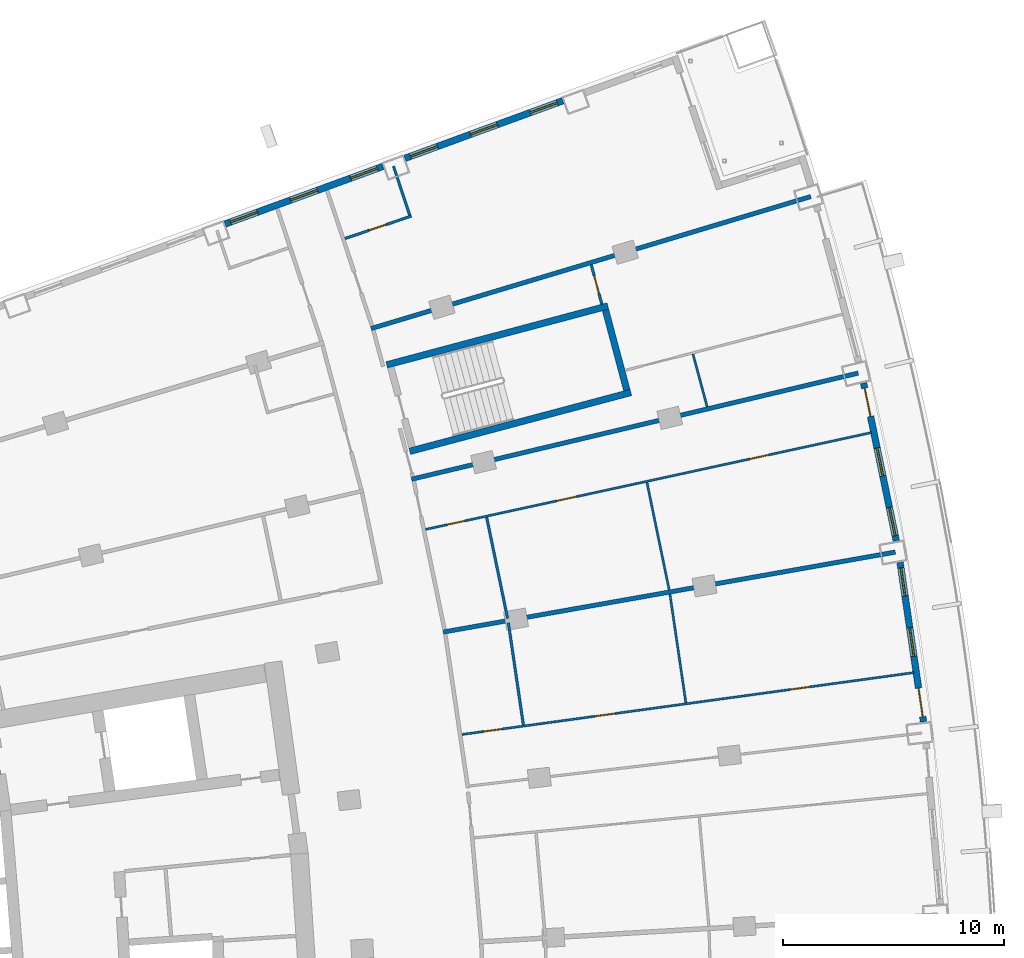
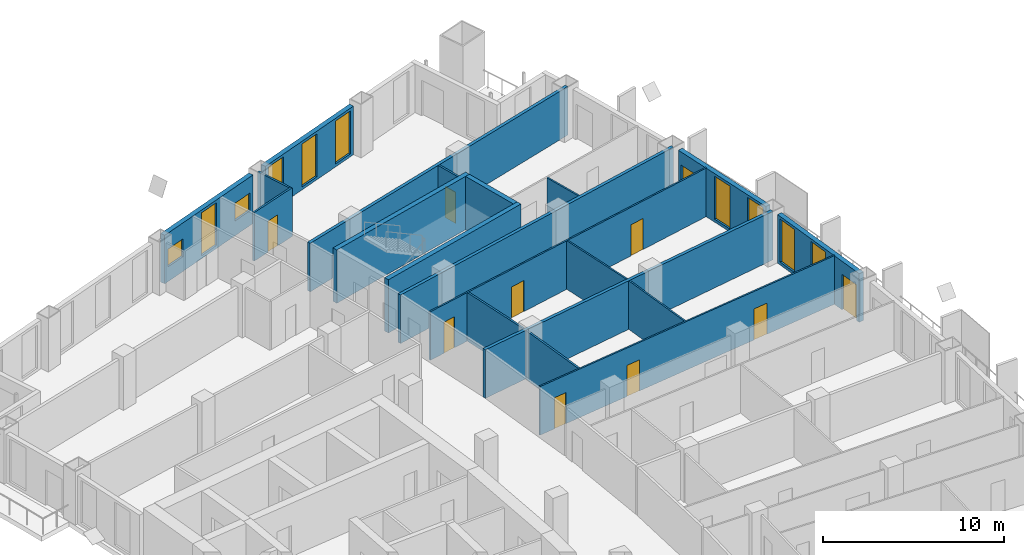
# One storey, part 20 of 25: 20 walls, 10 doors, 10 windows, 20 openings.
"""IFC4 building model written with IfcOpenShell, lengths in metres."""

from ifc_helpers import new_model, si_unit, direction, frame, frame_2d, origin, place, context, subcontext, project, spatial, rectangle, extrude, material, layer, layer_set, type_object, element, fill, save


model = new_model("IFC4")

# Units and contexts
model_context = context("Model", 3, precision=1e-05, world=origin(), true_north=direction((0.0, 1.0)))
body_context = subcontext(model_context, "Body", "Model", "MODEL_VIEW")
ifc_project = project(units=[si_unit("LENGTHUNIT", "METRE"), si_unit("AREAUNIT", "SQUARE_METRE"), si_unit("VOLUMEUNIT", "CUBIC_METRE"), si_unit("PLANEANGLEUNIT", "RADIAN"), si_unit("MASSUNIT", "GRAM", prefix="KILO")], contexts=[model_context])

# Site, building, storey
site_placement = place(None, origin())
site = spatial("IfcSite", under=ifc_project, at=site_placement, CompositionType="ELEMENT")
building_placement = place(site_placement, origin())
building = spatial("IfcBuilding", under=site, at=building_placement, Name="Alderwake Tower", CompositionType="ELEMENT")
storey_placement = place(building_placement, frame((0.0, 0.0, 89.60009765625)))
storey = spatial("IfcBuildingStorey", under=building, at=storey_placement, Name="L21", CompositionType="ELEMENT", Elevation=89.60009765625)

# Walls
ifc_material_1 = material(Name="Concrete C70/85", Category="concrete")
ifc_layer_1 = layer(ifc_material_1, 0.300048828125)
ifc_layer_set_1 = layer_set([ifc_layer_1], Name="Core wall stair enclosure 300 C70-85")
wall_type_1 = type_object("IfcWallType", Name="Core wall stair enclosure 300 C70-85", PredefinedType="SHEAR", material=ifc_layer_set_1)
for number, where, z_axis, x_axis, name in (
    (1, (36.71142578125, 94.182373046875, 0.0), (0.0, 0.0, 1.0), (0.966309214305, 0.257383958996, 0.0), "Core wall CW.082"),
    (2, (37.75390625, 90.268798828125, 0.0), (0.0, 0.0, 1.0), (0.966309214305, 0.257383958996, 0.0), "Core wall CW.084"),
):
    element("IfcWall", number, at=place(storey_placement, frame(where, z_axis=z_axis, x_axis=x_axis)), inside=storey, type_object=wall_type_1, Name=name, PredefinedType="SHEAR", context=body_context, shape_type="SweptSolid", body=[
        extrude(rectangle(XDim=10.360107421875, YDim=0.300048828125, at=frame_2d((5.18017578125, 0.0))), origin(), (0.0, 0.0, 1.0), 3.599853515625),
    ])
wall_1_placement = place(storey_placement, frame((47.581298828125, 93.041748046875, 0.0), z_axis=(0.0, 0.0, 1.0), x_axis=(-0.257366821694, 0.966313778796, 0.0)))
element("IfcWall", 3, at=wall_1_placement, inside=storey, type_object=wall_type_1, Name="Core wall CW.081", PredefinedType="SHEAR", context=body_context, shape_type="SweptSolid", body=[
    extrude(rectangle(XDim=3.749755859375, YDim=0.300048828125, at=frame_2d((1.875, 0.0))), origin(), (0.0, 0.0, 1.0), 3.599853515625),
])

# Wall, openings, door, windows
ifc_material_2 = material(Name="Precast concrete C50/60 spandrel panel", Category="concrete")
ifc_layer_2 = layer(ifc_material_2, 0.300048828125)
ifc_layer_set_2 = layer_set([ifc_layer_2], Name="External wall EW1 Precast concrete C50/60 spandrel")
wall_type_2 = type_object("IfcWallType", Name="External wall EW1 Precast concrete C50/60 spandrel", PredefinedType="SOLIDWALL", material=ifc_layer_set_2)
wall_2_placement = place(storey_placement, frame((61.01171875, 78.028564453125, 0.0), z_axis=(0.0, 0.0, 1.0), x_axis=(-0.145299158465, 0.989387767536, 0.0)))
wall_2 = element("IfcWall", 4, at=wall_2_placement, inside=storey, type_object=wall_type_2, Name="External wall 19", PredefinedType="SOLIDWALL", context=body_context, shape_type="SweptSolid", body=[
    extrude(rectangle(XDim=7.287353515625, YDim=0.300048828125, at=frame_2d((3.6435546875, 0.0))), origin(), (0.0, 0.0, 1.0), 3.27978515625),
])
opening_1_placement = place(wall_2_placement, frame((0.23681640625, 0.0, 0.0)))
opening_1 = element("IfcOpeningElement", 5, at=opening_1_placement, cuts=wall_2, Name="Opening D09", PredefinedType="OPENING", context=body_context, shape_type="SweptSolid", body=[
    extrude(rectangle(XDim=1.300048828125, YDim=2.39990234375, at=frame_2d((0.64990234375, 1.199951171875))), frame((0.0, 0.159912109375, 0.0), z_axis=(0.0, -1.0, 0.0), x_axis=(1.0, 0.0, 0.0)), (0.0, 0.0, 1.0), 0.320068359375),
])
opening_2_placement = place(wall_2_placement, frame((2.99365234375, 0.0, 0.199951171875)))
opening_2 = element("IfcOpeningElement", 6, at=opening_2_placement, cuts=wall_2, Name="Opening W1", PredefinedType="OPENING", context=body_context, shape_type="SweptSolid", body=[
    extrude(rectangle(XDim=1.300048828125, YDim=2.89990234375, at=frame_2d((0.64990234375, 1.449951171875))), frame((0.0, 0.159912109375, 0.0), z_axis=(0.0, -1.0, 0.0), x_axis=(1.0, 0.0, 0.0)), (0.0, 0.0, 1.0), 0.320068359375),
])
opening_3_placement = place(wall_2_placement, frame((5.75048828125, 0.0, 0.199951171875)))
opening_3 = element("IfcOpeningElement", 7, at=opening_3_placement, cuts=wall_2, Name="Opening W1", PredefinedType="OPENING", context=body_context, shape_type="SweptSolid", body=[
    extrude(rectangle(XDim=1.300048828125, YDim=2.89990234375, at=frame_2d((0.64990234375, 1.449951171875))), frame((0.0, 0.159912109375, 0.0), z_axis=(0.0, -1.0, 0.0), x_axis=(1.0, 0.0, 0.0)), (0.0, 0.0, 1.0), 0.320068359375),
])
ifc_material_3 = material(Name="Bronze tinted glass in aluminium frame", Category="aluminium")
door_type_1 = type_object("IfcDoorType", Name="Balcony door BD sliding", OperationType="SLIDING_TO_LEFT", PredefinedType="DOOR", material=ifc_material_3)
door_1_placement = place(opening_1_placement, origin())
door_1 = element("IfcDoor", 8, at=door_1_placement, inside=storey, type_object=door_type_1, Name="Door D09", OperationType="SLIDING_TO_LEFT", OverallHeight=2.39990234375, OverallWidth=1.300048828125, PredefinedType="DOOR", context=body_context, shape_type="SweptSolid", body=[
    extrude(rectangle(XDim=1.300048828125, YDim=2.39990234375, at=frame_2d((0.64990234375, 1.199951171875))), frame((0.0, 0.02490234375, 0.0), z_axis=(0.0, -1.0, 0.0), x_axis=(1.0, 0.0, 0.0)), (0.0, 0.0, 1.0), 0.050048828125),
])
fill(opening_1, door_1)
ifc_material_4 = material(Name="Bronze tinted glass in aluminium frame", Category="aluminium")
window_type_1 = type_object("IfcWindowType", Name="Window W1 tall fixed and vent", PartitioningType="DOUBLE_PANEL_VERTICAL", PredefinedType="WINDOW", material=ifc_material_4)
window_1_placement = place(opening_2_placement, origin())
window_1 = element("IfcWindow", 9, at=window_1_placement, inside=storey, type_object=window_type_1, Name="Window W1 tall fixed and vent", OverallHeight=2.89990234375, OverallWidth=1.300048828125, PartitioningType="DOUBLE_PANEL_VERTICAL", PredefinedType="WINDOW", context=body_context, shape_type="SweptSolid", body=[
    extrude(rectangle(XDim=1.300048828125, YDim=2.89990234375, at=frame_2d((0.64990234375, 1.449951171875))), frame((0.0, 0.030029296875, 0.0), z_axis=(0.0, -1.0, 0.0), x_axis=(1.0, 0.0, 0.0)), (0.0, 0.0, 1.0), 0.06005859375),
])
fill(opening_2, window_1)
window_2_placement = place(opening_3_placement, origin())
window_2 = element("IfcWindow", 10, at=window_2_placement, inside=storey, type_object=window_type_1, Name="Window W1 tall fixed and vent", OverallHeight=2.89990234375, OverallWidth=1.300048828125, PartitioningType="DOUBLE_PANEL_VERTICAL", PredefinedType="WINDOW", context=body_context, shape_type="SweptSolid", body=[
    extrude(rectangle(XDim=1.300048828125, YDim=2.89990234375, at=frame_2d((0.64990234375, 1.449951171875))), frame((0.0, 0.030029296875, 0.0), z_axis=(0.0, -1.0, 0.0), x_axis=(1.0, 0.0, 0.0)), (0.0, 0.0, 1.0), 0.06005859375),
])
fill(opening_3, window_2)

wall_3_placement = place(storey_placement, frame((59.779296875, 86.220458984375, 0.0), z_axis=(0.0, 0.0, 1.0), x_axis=(-0.202747398162, 0.979231072086, 0.0)))
wall_3 = element("IfcWall", 11, at=wall_3_placement, inside=storey, type_object=wall_type_2, Name="External wall 20", PredefinedType="SOLIDWALL", context=body_context, shape_type="SweptSolid", body=[
    extrude(rectangle(XDim=7.28759765625, YDim=0.300048828125, at=frame_2d((3.643798828125, 0.0))), origin(), (0.0, 0.0, 1.0), 3.27978515625),
])
opening_4_placement = place(wall_3_placement, frame((0.23681640625, 0.0, 0.199951171875)))
opening_4 = element("IfcOpeningElement", 12, at=opening_4_placement, cuts=wall_3, Name="Opening W1", PredefinedType="OPENING", context=body_context, shape_type="SweptSolid", body=[
    extrude(rectangle(XDim=1.300048828125, YDim=2.89990234375, at=frame_2d((0.64990234375, 1.449951171875))), frame((0.0, 0.159912109375, 0.0), z_axis=(0.0, -1.0, 0.0), x_axis=(1.0, 0.0, 0.0)), (0.0, 0.0, 1.0), 0.320068359375),
])
opening_5_placement = place(wall_3_placement, frame((2.99365234375, 0.0, 0.199951171875)))
opening_5 = element("IfcOpeningElement", 13, at=opening_5_placement, cuts=wall_3, Name="Opening W1", PredefinedType="OPENING", context=body_context, shape_type="SweptSolid", body=[
    extrude(rectangle(XDim=1.300048828125, YDim=2.89990234375, at=frame_2d((0.64990234375, 1.449951171875))), frame((0.0, 0.159912109375, 0.0), z_axis=(0.0, -1.0, 0.0), x_axis=(1.0, 0.0, 0.0)), (0.0, 0.0, 1.0), 0.320068359375),
])
opening_6_placement = place(wall_3_placement, frame((5.75048828125, 0.0, 0.0)))
opening_6 = element("IfcOpeningElement", 14, at=opening_6_placement, cuts=wall_3, Name="Opening D10", PredefinedType="OPENING", context=body_context, shape_type="SweptSolid", body=[
    extrude(rectangle(XDim=1.300048828125, YDim=2.39990234375, at=frame_2d((0.64990234375, 1.199951171875))), frame((0.0, 0.159912109375, 0.0), z_axis=(0.0, -1.0, 0.0), x_axis=(1.0, 0.0, 0.0)), (0.0, 0.0, 1.0), 0.320068359375),
])
door_2_placement = place(opening_6_placement, origin())
door_2 = element("IfcDoor", 15, at=door_2_placement, inside=storey, type_object=door_type_1, Name="Door D10", OperationType="SLIDING_TO_LEFT", OverallHeight=2.39990234375, OverallWidth=1.300048828125, PredefinedType="DOOR", context=body_context, shape_type="SweptSolid", body=[
    extrude(rectangle(XDim=1.300048828125, YDim=2.39990234375, at=frame_2d((0.64990234375, 1.199951171875))), frame((0.0, 0.02490234375, 0.0), z_axis=(0.0, -1.0, 0.0), x_axis=(1.0, 0.0, 0.0)), (0.0, 0.0, 1.0), 0.050048828125),
])
fill(opening_6, door_2)
window_3_placement = place(opening_4_placement, origin())
window_3 = element("IfcWindow", 16, at=window_3_placement, inside=storey, type_object=window_type_1, Name="Window W1 tall fixed and vent", OverallHeight=2.89990234375, OverallWidth=1.300048828125, PartitioningType="DOUBLE_PANEL_VERTICAL", PredefinedType="WINDOW", context=body_context, shape_type="SweptSolid", body=[
    extrude(rectangle(XDim=1.300048828125, YDim=2.89990234375, at=frame_2d((0.64990234375, 1.449951171875))), frame((0.0, 0.030029296875, 0.0), z_axis=(0.0, -1.0, 0.0), x_axis=(1.0, 0.0, 0.0)), (0.0, 0.0, 1.0), 0.06005859375),
])
fill(opening_4, window_3)
window_4_placement = place(opening_5_placement, origin())
window_4 = element("IfcWindow", 17, at=window_4_placement, inside=storey, type_object=window_type_1, Name="Window W1 tall fixed and vent", OverallHeight=2.89990234375, OverallWidth=1.300048828125, PartitioningType="DOUBLE_PANEL_VERTICAL", PredefinedType="WINDOW", context=body_context, shape_type="SweptSolid", body=[
    extrude(rectangle(XDim=1.300048828125, YDim=2.89990234375, at=frame_2d((0.64990234375, 1.449951171875))), frame((0.0, 0.030029296875, 0.0), z_axis=(0.0, -1.0, 0.0), x_axis=(1.0, 0.0, 0.0)), (0.0, 0.0, 1.0), 0.06005859375),
])
fill(opening_5, window_4)

# Wall, openings, windows
ifc_material_5 = material(Name="Bronze metal cladding on lightweight framing")
ifc_layer_3 = layer(ifc_material_5, 0.300048828125)
ifc_layer_set_3 = layer_set([ifc_layer_3], Name="External wall EW2 bronze metal cladding")
wall_type_3 = type_object("IfcWallType", Name="External wall EW2 bronze metal cladding", PredefinedType="SOLIDWALL", material=ifc_layer_set_3)
wall_4_placement = place(storey_placement, frame((44.685546875, 106.14111328125, 0.0), z_axis=(0.0, 0.0, 1.0), x_axis=(-0.939373225656, -0.342896402606, 0.0)))
wall_4 = element("IfcWall", 18, at=wall_4_placement, inside=storey, type_object=wall_type_3, Name="External wall 26", PredefinedType="SOLIDWALL", context=body_context, shape_type="SweptSolid", body=[
    extrude(rectangle(XDim=7.612548828125, YDim=0.300048828125, at=frame_2d((3.80615234375, 0.0))), origin(), (0.0, 0.0, 1.0), 3.27978515625),
])
opening_7_placement = place(wall_4_placement, frame((0.267578125, 0.0, 0.199951171875)))
opening_7 = element("IfcOpeningElement", 19, at=opening_7_placement, cuts=wall_4, Name="Opening W1", PredefinedType="OPENING", context=body_context, shape_type="SweptSolid", body=[
    extrude(rectangle(XDim=1.300048828125, YDim=2.89990234375, at=frame_2d((0.64990234375, 1.449951171875))), frame((0.0, 0.159912109375, 0.0), z_axis=(0.0, -1.0, 0.0), x_axis=(1.0, 0.0, 0.0)), (0.0, 0.0, 1.0), 0.320068359375),
])
opening_8_placement = place(wall_4_placement, frame((3.156494140625, 0.0, 0.199951171875)))
opening_8 = element("IfcOpeningElement", 20, at=opening_8_placement, cuts=wall_4, Name="Opening W1", PredefinedType="OPENING", context=body_context, shape_type="SweptSolid", body=[
    extrude(rectangle(XDim=1.300048828125, YDim=2.89990234375, at=frame_2d((0.64990234375, 1.449951171875))), frame((0.0, 0.159912109375, 0.0), z_axis=(0.0, -1.0, 0.0), x_axis=(1.0, 0.0, 0.0)), (0.0, 0.0, 1.0), 0.320068359375),
])
opening_9_placement = place(wall_4_placement, frame((6.04541015625, 0.0, 0.199951171875)))
opening_9 = element("IfcOpeningElement", 21, at=opening_9_placement, cuts=wall_4, Name="Opening W1", PredefinedType="OPENING", context=body_context, shape_type="SweptSolid", body=[
    extrude(rectangle(XDim=1.300048828125, YDim=2.89990234375, at=frame_2d((0.64990234375, 1.449951171875))), frame((0.0, 0.159912109375, 0.0), z_axis=(0.0, -1.0, 0.0), x_axis=(1.0, 0.0, 0.0)), (0.0, 0.0, 1.0), 0.320068359375),
])
window_5_placement = place(opening_7_placement, origin())
window_5 = element("IfcWindow", 22, at=window_5_placement, inside=storey, type_object=window_type_1, Name="Window W1 tall fixed and vent", OverallHeight=2.89990234375, OverallWidth=1.300048828125, PartitioningType="DOUBLE_PANEL_VERTICAL", PredefinedType="WINDOW", context=body_context, shape_type="SweptSolid", body=[
    extrude(rectangle(XDim=1.300048828125, YDim=2.89990234375, at=frame_2d((0.64990234375, 1.449951171875))), frame((0.0, 0.030029296875, 0.0), z_axis=(0.0, -1.0, 0.0), x_axis=(1.0, 0.0, 0.0)), (0.0, 0.0, 1.0), 0.06005859375),
])
fill(opening_7, window_5)
window_6_placement = place(opening_8_placement, origin())
window_6 = element("IfcWindow", 23, at=window_6_placement, inside=storey, type_object=window_type_1, Name="Window W1 tall fixed and vent", OverallHeight=2.89990234375, OverallWidth=1.300048828125, PartitioningType="DOUBLE_PANEL_VERTICAL", PredefinedType="WINDOW", context=body_context, shape_type="SweptSolid", body=[
    extrude(rectangle(XDim=1.300048828125, YDim=2.89990234375, at=frame_2d((0.64990234375, 1.449951171875))), frame((0.0, 0.030029296875, 0.0), z_axis=(0.0, -1.0, 0.0), x_axis=(1.0, 0.0, 0.0)), (0.0, 0.0, 1.0), 0.06005859375),
])
fill(opening_8, window_6)
window_7_placement = place(opening_9_placement, origin())
window_7 = element("IfcWindow", 24, at=window_7_placement, inside=storey, type_object=window_type_1, Name="Window W1 tall fixed and vent", OverallHeight=2.89990234375, OverallWidth=1.300048828125, PartitioningType="DOUBLE_PANEL_VERTICAL", PredefinedType="WINDOW", context=body_context, shape_type="SweptSolid", body=[
    extrude(rectangle(XDim=1.300048828125, YDim=2.89990234375, at=frame_2d((0.64990234375, 1.449951171875))), frame((0.0, 0.030029296875, 0.0), z_axis=(0.0, -1.0, 0.0), x_axis=(1.0, 0.0, 0.0)), (0.0, 0.0, 1.0), 0.06005859375),
])
fill(opening_9, window_7)

wall_5_placement = place(storey_placement, frame((36.544189453125, 103.169189453125, 0.0), z_axis=(0.0, 0.0, 1.0), x_axis=(-0.939383555457, -0.342868102536, 0.0)))
wall_5 = element("IfcWall", 25, at=wall_5_placement, inside=storey, type_object=wall_type_3, Name="External wall 27", PredefinedType="SOLIDWALL", context=body_context, shape_type="SweptSolid", body=[
    extrude(rectangle(XDim=7.612548828125, YDim=0.300048828125, at=frame_2d((3.80615234375, 0.0))), origin(), (0.0, 0.0, 1.0), 3.27978515625),
])
opening_10_placement = place(wall_5_placement, frame((0.267333984375, 0.0, 1.0)))
opening_10 = element("IfcOpeningElement", 26, at=opening_10_placement, cuts=wall_5, Name="Opening W2", PredefinedType="OPENING", context=body_context, shape_type="SweptSolid", body=[
    extrude(rectangle(XDim=1.300048828125, YDim=1.199951171875, at=frame_2d((0.64990234375, 0.60009765625))), frame((0.0, 0.159912109375, 0.0), z_axis=(0.0, -1.0, 0.0), x_axis=(1.0, 0.0, 0.0)), (0.0, 0.0, 1.0), 0.320068359375),
])
opening_11_placement = place(wall_5_placement, frame((3.156494140625, 0.0, 0.199951171875)))
opening_11 = element("IfcOpeningElement", 27, at=opening_11_placement, cuts=wall_5, Name="Opening W1", PredefinedType="OPENING", context=body_context, shape_type="SweptSolid", body=[
    extrude(rectangle(XDim=1.300048828125, YDim=2.89990234375, at=frame_2d((0.64990234375, 1.449951171875))), frame((0.0, 0.159912109375, 0.0), z_axis=(0.0, -1.0, 0.0), x_axis=(1.0, 0.0, 0.0)), (0.0, 0.0, 1.0), 0.320068359375),
])
opening_12_placement = place(wall_5_placement, frame((6.04541015625, 0.0, 1.0)))
opening_12 = element("IfcOpeningElement", 28, at=opening_12_placement, cuts=wall_5, Name="Opening W2", PredefinedType="OPENING", context=body_context, shape_type="SweptSolid", body=[
    extrude(rectangle(XDim=1.300048828125, YDim=1.199951171875, at=frame_2d((0.64990234375, 0.60009765625))), frame((0.0, 0.159912109375, 0.0), z_axis=(0.0, -1.0, 0.0), x_axis=(1.0, 0.0, 0.0)), (0.0, 0.0, 1.0), 0.320068359375),
])
window_8_placement = place(opening_11_placement, origin())
window_8 = element("IfcWindow", 29, at=window_8_placement, inside=storey, type_object=window_type_1, Name="Window W1 tall fixed and vent", OverallHeight=2.89990234375, OverallWidth=1.300048828125, PartitioningType="DOUBLE_PANEL_VERTICAL", PredefinedType="WINDOW", context=body_context, shape_type="SweptSolid", body=[
    extrude(rectangle(XDim=1.300048828125, YDim=2.89990234375, at=frame_2d((0.64990234375, 1.449951171875))), frame((0.0, 0.030029296875, 0.0), z_axis=(0.0, -1.0, 0.0), x_axis=(1.0, 0.0, 0.0)), (0.0, 0.0, 1.0), 0.06005859375),
])
fill(opening_11, window_8)
ifc_material_6 = material(Name="Bronze tinted glass in aluminium frame", Category="aluminium")
window_type_2 = type_object("IfcWindowType", Name="Window W2 kitchen and bath", PartitioningType="SINGLE_PANEL", PredefinedType="WINDOW", material=ifc_material_6)
window_9_placement = place(opening_10_placement, origin())
window_9 = element("IfcWindow", 30, at=window_9_placement, inside=storey, type_object=window_type_2, Name="Window W2 kitchen and bath", OverallHeight=1.199951171875, OverallWidth=1.300048828125, PartitioningType="SINGLE_PANEL", PredefinedType="WINDOW", context=body_context, shape_type="SweptSolid", body=[
    extrude(rectangle(XDim=1.300048828125, YDim=1.199951171875, at=frame_2d((0.64990234375, 0.60009765625))), frame((0.0, 0.030029296875, 0.0), z_axis=(0.0, -1.0, 0.0), x_axis=(1.0, 0.0, 0.0)), (0.0, 0.0, 1.0), 0.06005859375),
])
fill(opening_10, window_9)
window_10_placement = place(opening_12_placement, origin())
window_10 = element("IfcWindow", 31, at=window_10_placement, inside=storey, type_object=window_type_2, Name="Window W2 kitchen and bath", OverallHeight=1.199951171875, OverallWidth=1.300048828125, PartitioningType="SINGLE_PANEL", PredefinedType="WINDOW", context=body_context, shape_type="SweptSolid", body=[
    extrude(rectangle(XDim=1.300048828125, YDim=1.199951171875, at=frame_2d((0.64990234375, 0.60009765625))), frame((0.0, 0.030029296875, 0.0), z_axis=(0.0, -1.0, 0.0), x_axis=(1.0, 0.0, 0.0)), (0.0, 0.0, 1.0), 0.06005859375),
])
fill(opening_12, window_10)

# Walls
ifc_material_7 = material(Name="Dense block masonry wall", Category="masonry")
ifc_layer_4 = layer(ifc_material_7, 0.199951171875)
ifc_layer_set_4 = layer_set([ifc_layer_4], Name="Party wall 200")
wall_type_4 = type_object("IfcWallType", Name="Party wall 200", PredefinedType="SOLIDWALL", material=ifc_layer_set_4)
wall_6_placement = place(storey_placement, frame((37.839111328125, 89.006591796875, 0.0), z_axis=(0.0, 0.0, 1.0), x_axis=(0.972915151152, 0.231162515686, 0.0)))
element("IfcWall", 32, at=wall_6_placement, inside=storey, type_object=wall_type_4, Name="WL/L21/W07", PredefinedType="SOLIDWALL", context=body_context, shape_type="SweptSolid", body=[
    extrude(rectangle(XDim=20.779541015625, YDim=0.199951171875, at=frame_2d((10.3896484375, 0.0))), origin(), (0.0, 0.0, 1.0), 3.27978515625),
])
wall_7_placement = place(storey_placement, frame((55.907958984375, 101.802001953125, 0.0), z_axis=(0.0, 0.0, 1.0), x_axis=(-0.957772916743, -0.287525720507, 0.0)))
element("IfcWall", 33, at=wall_7_placement, inside=storey, type_object=wall_type_4, Name="WL/L21/W08", PredefinedType="SOLIDWALL", context=body_context, shape_type="SweptSolid", body=[
    extrude(rectangle(XDim=20.781005859375, YDim=0.199951171875, at=frame_2d((10.390625, 0.0))), origin(), (0.0, 0.0, 1.0), 3.27978515625),
])
wall_8_placement = place(storey_placement, frame((59.73291015625, 85.70703125, 0.0), z_axis=(0.0, 0.0, 1.0), x_axis=(-0.984712278079, -0.174188775183, 0.0)))
element("IfcWall", 34, at=wall_8_placement, inside=storey, type_object=wall_type_4, Name="WL/L21/W09", PredefinedType="SOLIDWALL", context=body_context, shape_type="SweptSolid", body=[
    extrude(rectangle(XDim=20.78125, YDim=0.199951171875, at=frame_2d((10.390625, 0.0))), origin(), (0.0, 0.0, 1.0), 3.27978515625),
])

# Wall, openings, doors
ifc_material_8 = material(Name="Gypsum board on metal studs")
ifc_layer_5 = layer(ifc_material_8, 0.10009765625)
ifc_layer_set_5 = layer_set([ifc_layer_5], Name="Unit partition 100")
wall_type_5 = type_object("IfcWallType", Name="Unit partition 100", PredefinedType="PARTITIONING", material=ifc_layer_set_5)
wall_9_placement = place(storey_placement, frame((58.662109375, 91.118896484375, 0.0), z_axis=(0.0, 0.0, 1.0), x_axis=(-0.977229871325, -0.212183360777, 0.0)))
wall_9 = element("IfcWall", 35, at=wall_9_placement, inside=storey, type_object=wall_type_5, Name="WL/L21/W66", PredefinedType="PARTITIONING", context=body_context, shape_type="SweptSolid", body=[
    extrude(rectangle(XDim=20.660400390625, YDim=0.10009765625, at=frame_2d((10.330078125, 0.0))), origin(), (0.0, 0.0, 1.0), 3.27978515625),
])
opening_13_placement = place(wall_9_placement, frame((13.6796875, 0.0, 0.0)))
opening_13 = element("IfcOpeningElement", 36, at=opening_13_placement, cuts=wall_9, Name="Opening R05-U08.1", PredefinedType="OPENING", context=body_context, shape_type="SweptSolid", body=[
    extrude(rectangle(XDim=0.89990234375, YDim=2.10009765625, at=frame_2d((0.449951171875, 1.050048828125))), frame((0.0, 0.06005859375, 0.0), z_axis=(0.0, -1.0, 0.0), x_axis=(1.0, 0.0, 0.0)), (0.0, 0.0, 1.0), 0.1201171875),
])
opening_14_placement = place(wall_9_placement, frame((18.851318359375, 0.0, 0.0)))
opening_14 = element("IfcOpeningElement", 37, at=opening_14_placement, cuts=wall_9, Name="Opening R05-U08.3", PredefinedType="OPENING", context=body_context, shape_type="SweptSolid", body=[
    extrude(rectangle(XDim=0.800048828125, YDim=2.10009765625, at=frame_2d((0.39990234375, 1.050048828125))), frame((0.0, 0.06005859375, 0.0), z_axis=(0.0, -1.0, 0.0), x_axis=(1.0, 0.0, 0.0)), (0.0, 0.0, 1.0), 0.1201171875),
])
opening_15_placement = place(wall_9_placement, frame((4.758544921875, 0.0, 0.0)))
opening_15 = element("IfcOpeningElement", 38, at=opening_15_placement, cuts=wall_9, Name="Opening R05-U08.4", PredefinedType="OPENING", context=body_context, shape_type="SweptSolid", body=[
    extrude(rectangle(XDim=0.89990234375, YDim=2.10009765625, at=frame_2d((0.449951171875, 1.050048828125))), frame((0.0, 0.06005859375, 0.0), z_axis=(0.0, -1.0, 0.0), x_axis=(1.0, 0.0, 0.0)), (0.0, 0.0, 1.0), 0.1201171875),
])
ifc_material_9 = material(Name="Painted timber leaf", Category="wood")
door_type_2 = type_object("IfcDoorType", Name="Bathroom door 800", OperationType="SINGLE_SWING_LEFT", PredefinedType="DOOR", material=ifc_material_9)
door_3_placement = place(opening_14_placement, origin())
door_3 = element("IfcDoor", 39, at=door_3_placement, inside=storey, type_object=door_type_2, Name="DR/L21/U08.3", OperationType="SINGLE_SWING_LEFT", OverallHeight=2.10009765625, OverallWidth=0.800048828125, PredefinedType="DOOR", context=body_context, shape_type="SweptSolid", body=[
    extrude(rectangle(XDim=0.800048828125, YDim=2.10009765625, at=frame_2d((0.39990234375, 1.050048828125))), frame((0.0, 0.02490234375, 0.0), z_axis=(0.0, -1.0, 0.0), x_axis=(1.0, 0.0, 0.0)), (0.0, 0.0, 1.0), 0.050048828125),
])
fill(opening_14, door_3)
ifc_material_10 = material(Name="Painted timber leaf", Category="wood")
door_type_3 = type_object("IfcDoorType", Name="Room door 900", OperationType="SINGLE_SWING_LEFT", PredefinedType="DOOR", material=ifc_material_10)
door_4_placement = place(opening_13_placement, origin())
door_4 = element("IfcDoor", 40, at=door_4_placement, inside=storey, type_object=door_type_3, Name="DR/L21/U08.1", OperationType="SINGLE_SWING_LEFT", OverallHeight=2.10009765625, OverallWidth=0.89990234375, PredefinedType="DOOR", context=body_context, shape_type="SweptSolid", body=[
    extrude(rectangle(XDim=0.89990234375, YDim=2.10009765625, at=frame_2d((0.449951171875, 1.050048828125))), frame((0.0, 0.02490234375, 0.0), z_axis=(0.0, -1.0, 0.0), x_axis=(1.0, 0.0, 0.0)), (0.0, 0.0, 1.0), 0.050048828125),
])
fill(opening_13, door_4)
door_5_placement = place(opening_15_placement, origin())
door_5 = element("IfcDoor", 41, at=door_5_placement, inside=storey, type_object=door_type_3, Name="DR/L21/U08.4", OperationType="SINGLE_SWING_LEFT", OverallHeight=2.10009765625, OverallWidth=0.89990234375, PredefinedType="DOOR", context=body_context, shape_type="SweptSolid", body=[
    extrude(rectangle(XDim=0.89990234375, YDim=2.10009765625, at=frame_2d((0.449951171875, 1.050048828125))), frame((0.0, 0.02490234375, 0.0), z_axis=(0.0, -1.0, 0.0), x_axis=(1.0, 0.0, 0.0)), (0.0, 0.0, 1.0), 0.050048828125),
])
fill(opening_15, door_5)

wall_10_placement = place(storey_placement, frame((40.1142578125, 77.449951171875, 0.0), z_axis=(0.0, 0.0, 1.0), x_axis=(0.990755381379, 0.135660511087, 0.0)))
wall_10 = element("IfcWall", 42, at=wall_10_placement, inside=storey, type_object=wall_type_5, Name="WL/L21/W69", PredefinedType="PARTITIONING", context=body_context, shape_type="SweptSolid", body=[
    extrude(rectangle(XDim=20.66162109375, YDim=0.10009765625, at=frame_2d((10.330810546875, 0.0))), origin(), (0.0, 0.0, 1.0), 3.27978515625),
])
opening_16_placement = place(wall_10_placement, frame((6.080078125, 0.0, 0.0)))
opening_16 = element("IfcOpeningElement", 43, at=opening_16_placement, cuts=wall_10, Name="Opening R05-U07.5", PredefinedType="OPENING", context=body_context, shape_type="SweptSolid", body=[
    extrude(rectangle(XDim=0.89990234375, YDim=2.10009765625, at=frame_2d((0.449951171875, 1.050048828125))), frame((0.0, 0.06005859375, 0.0), z_axis=(0.0, -1.0, 0.0), x_axis=(1.0, 0.0, 0.0)), (0.0, 0.0, 1.0), 0.1201171875),
])
opening_17_placement = place(wall_10_placement, frame((1.0087890625, 0.0, 0.0)))
opening_17 = element("IfcOpeningElement", 44, at=opening_17_placement, cuts=wall_10, Name="Opening R05-U07.6", PredefinedType="OPENING", context=body_context, shape_type="SweptSolid", body=[
    extrude(rectangle(XDim=0.800048828125, YDim=2.10009765625, at=frame_2d((0.39990234375, 1.050048828125))), frame((0.0, 0.06005859375, 0.0), z_axis=(0.0, -1.0, 0.0), x_axis=(1.0, 0.0, 0.0)), (0.0, 0.0, 1.0), 0.1201171875),
])
opening_18_placement = place(wall_10_placement, frame((15.001953125, 0.0, 0.0)))
opening_18 = element("IfcOpeningElement", 45, at=opening_18_placement, cuts=wall_10, Name="Opening R05-U07.7", PredefinedType="OPENING", context=body_context, shape_type="SweptSolid", body=[
    extrude(rectangle(XDim=0.89990234375, YDim=2.10009765625, at=frame_2d((0.449951171875, 1.050048828125))), frame((0.0, 0.06005859375, 0.0), z_axis=(0.0, -1.0, 0.0), x_axis=(1.0, 0.0, 0.0)), (0.0, 0.0, 1.0), 0.1201171875),
])
door_6_placement = place(opening_17_placement, origin())
door_6 = element("IfcDoor", 46, at=door_6_placement, inside=storey, type_object=door_type_2, Name="DR/L21/U07.6", OperationType="SINGLE_SWING_LEFT", OverallHeight=2.10009765625, OverallWidth=0.800048828125, PredefinedType="DOOR", context=body_context, shape_type="SweptSolid", body=[
    extrude(rectangle(XDim=0.800048828125, YDim=2.10009765625, at=frame_2d((0.39990234375, 1.050048828125))), frame((0.0, 0.02490234375, 0.0), z_axis=(0.0, -1.0, 0.0), x_axis=(1.0, 0.0, 0.0)), (0.0, 0.0, 1.0), 0.050048828125),
])
fill(opening_17, door_6)
door_7_placement = place(opening_16_placement, origin())
door_7 = element("IfcDoor", 47, at=door_7_placement, inside=storey, type_object=door_type_3, Name="DR/L21/U07.5", OperationType="SINGLE_SWING_LEFT", OverallHeight=2.10009765625, OverallWidth=0.89990234375, PredefinedType="DOOR", context=body_context, shape_type="SweptSolid", body=[
    extrude(rectangle(XDim=0.89990234375, YDim=2.10009765625, at=frame_2d((0.449951171875, 1.050048828125))), frame((0.0, 0.02490234375, 0.0), z_axis=(0.0, -1.0, 0.0), x_axis=(1.0, 0.0, 0.0)), (0.0, 0.0, 1.0), 0.050048828125),
])
fill(opening_16, door_7)
door_8_placement = place(opening_18_placement, origin())
door_8 = element("IfcDoor", 48, at=door_8_placement, inside=storey, type_object=door_type_3, Name="DR/L21/U07.7", OperationType="SINGLE_SWING_LEFT", OverallHeight=2.10009765625, OverallWidth=0.89990234375, PredefinedType="DOOR", context=body_context, shape_type="SweptSolid", body=[
    extrude(rectangle(XDim=0.89990234375, YDim=2.10009765625, at=frame_2d((0.449951171875, 1.050048828125))), frame((0.0, 0.02490234375, 0.0), z_axis=(0.0, -1.0, 0.0), x_axis=(1.0, 0.0, 0.0)), (0.0, 0.0, 1.0), 0.050048828125),
])
fill(opening_18, door_8)

# Walls
wall_11_placement = place(storey_placement, frame((49.497802734375, 83.9990234375, 0.0), z_axis=(0.0, 0.0, 1.0), x_axis=(-0.202441296839, 0.979294399726, 0.0)))
element("IfcWall", 49, at=wall_11_placement, inside=storey, type_object=wall_type_5, Name="WL/L21/W77", PredefinedType="PARTITIONING", context=body_context, shape_type="SweptSolid", body=[
    extrude(rectangle(XDim=4.962646484375, YDim=0.10009765625, at=frame_2d((2.4814453125, 0.0))), origin(), (0.0, 0.0, 1.0), 3.27978515625),
])
wall_12_placement = place(storey_placement, frame((50.254638671875, 78.889404296875, 0.0), z_axis=(0.0, 0.0, 1.0), x_axis=(-0.145392071717, 0.989374118057, 0.0)))
element("IfcWall", 50, at=wall_12_placement, inside=storey, type_object=wall_type_5, Name="WL/L21/W79", PredefinedType="PARTITIONING", context=body_context, shape_type="SweptSolid", body=[
    extrude(rectangle(XDim=4.96533203125, YDim=0.10009765625, at=frame_2d((2.482666015625, 0.0))), origin(), (0.0, 0.0, 1.0), 3.27978515625),
])
wall_13_placement = place(storey_placement, frame((51.217041015625, 92.28662109375, 0.0), z_axis=(0.0, 0.0, 1.0), x_axis=(-0.259442778972, 0.965758481422, 0.0)))
element("IfcWall", 51, at=wall_13_placement, inside=storey, type_object=wall_type_5, Name="WL/L21/W81", PredefinedType="PARTITIONING", context=body_context, shape_type="SweptSolid", body=[
    extrude(rectangle(XDim=2.474853515625, YDim=0.10009765625, at=frame_2d((1.2373046875, 0.0))), origin(), (0.0, 0.0, 1.0), 3.27978515625),
])

# Wall, opening, door
ifc_material_11 = material(Name="Moisture resistant gypsum board on metal studs")
ifc_layer_6 = layer(ifc_material_11, 0.1201171875)
ifc_layer_set_6 = layer_set([ifc_layer_6], Name="Wet room partition 120")
wall_type_6 = type_object("IfcWallType", Name="Wet room partition 120", PredefinedType="PARTITIONING", material=ifc_layer_set_6)
wall_14_placement = place(storey_placement, frame((34.81884765625, 99.901611328125, 0.0), z_axis=(0.0, 0.0, 1.0), x_axis=(0.947175058373, 0.320717022928, 0.0)))
wall_14 = element("IfcWall", 52, at=wall_14_placement, inside=storey, type_object=wall_type_6, Name="WL/L21/W50", PredefinedType="PARTITIONING", context=body_context, shape_type="SweptSolid", body=[
    extrude(rectangle(XDim=3.178955078125, YDim=0.1201171875, at=frame_2d((1.58935546875, 0.0))), origin(), (0.0, 0.0, 1.0), 3.27978515625),
])
opening_19_placement = place(wall_14_placement, frame((1.15966796875, 0.0, 0.0)))
opening_19 = element("IfcOpeningElement", 53, at=opening_19_placement, cuts=wall_14, Name="Opening R05-U04.2", PredefinedType="OPENING", context=body_context, shape_type="SweptSolid", body=[
    extrude(rectangle(XDim=0.800048828125, YDim=2.10009765625, at=frame_2d((0.39990234375, 1.050048828125))), frame((0.0, 0.070068359375, 0.0), z_axis=(0.0, -1.0, 0.0), x_axis=(1.0, 0.0, 0.0)), (0.0, 0.0, 1.0), 0.14013671875),
])
door_9_placement = place(opening_19_placement, origin())
door_9 = element("IfcDoor", 54, at=door_9_placement, inside=storey, type_object=door_type_2, Name="DR/L21/U04.2", OperationType="SINGLE_SWING_LEFT", OverallHeight=2.10009765625, OverallWidth=0.800048828125, PredefinedType="DOOR", context=body_context, shape_type="SweptSolid", body=[
    extrude(rectangle(XDim=0.800048828125, YDim=2.10009765625, at=frame_2d((0.39990234375, 1.050048828125))), frame((0.0, 0.02490234375, 0.0), z_axis=(0.0, -1.0, 0.0), x_axis=(1.0, 0.0, 0.0)), (0.0, 0.0, 1.0), 0.050048828125),
])
fill(opening_19, door_9)

# Walls
wall_15_placement = place(storey_placement, frame((37.754150390625, 100.958984375, 0.0), z_axis=(0.0, 0.0, 1.0), x_axis=(-0.314726191852, 0.949182503085, 0.0)))
element("IfcWall", 55, at=wall_15_placement, inside=storey, type_object=wall_type_6, Name="WL/L21/W53", PredefinedType="PARTITIONING", context=body_context, shape_type="SweptSolid", body=[
    extrude(rectangle(XDim=2.341796875, YDim=0.1201171875, at=frame_2d((1.1708984375, 0.0))), origin(), (0.0, 0.0, 1.0), 3.27978515625),
])
wall_16_placement = place(storey_placement, frame((42.18359375, 82.7060546875, 0.0), z_axis=(0.0, 0.0, 1.0), x_axis=(-0.20267985984, 0.979245053301, 0.0)))
element("IfcWall", 56, at=wall_16_placement, inside=storey, type_object=wall_type_6, Name="WL/L21/W55", PredefinedType="PARTITIONING", context=body_context, shape_type="SweptSolid", body=[
    extrude(rectangle(XDim=4.6748046875, YDim=0.1201171875, at=frame_2d((2.33740234375, 0.0))), origin(), (0.0, 0.0, 1.0), 3.27978515625),
])
wall_17_placement = place(storey_placement, frame((42.898681640625, 77.881591796875, 0.0), z_axis=(0.0, 0.0, 1.0), x_axis=(-0.145424863666, 0.989369298608, 0.0)))
element("IfcWall", 57, at=wall_17_placement, inside=storey, type_object=wall_type_6, Name="WL/L21/W57", PredefinedType="PARTITIONING", context=body_context, shape_type="SweptSolid", body=[
    extrude(rectangle(XDim=4.67724609375, YDim=0.1201171875, at=frame_2d((2.338623046875, 0.0))), origin(), (0.0, 0.0, 1.0), 3.27978515625),
])

# Wall, opening, door
wall_18_placement = place(storey_placement, frame((46.448974609375, 96.929931640625, 0.0), z_axis=(0.0, 0.0, 1.0), x_axis=(-0.258764710752, 0.965940383497, 0.0)))
wall_18 = element("IfcWall", 58, at=wall_18_placement, inside=storey, type_object=wall_type_6, Name="WL/L21/W61", PredefinedType="PARTITIONING", context=body_context, shape_type="SweptSolid", body=[
    extrude(rectangle(XDim=1.847412109375, YDim=0.1201171875, at=frame_2d((0.923828125, 0.0))), origin(), (0.0, 0.0, 1.0), 3.27978515625),
])
opening_20_placement = place(wall_18_placement, frame((0.524169921875, 0.0, 0.0)))
opening_20 = element("IfcOpeningElement", 59, at=opening_20_placement, cuts=wall_18, Name="Opening R05-U02.4", PredefinedType="OPENING", context=body_context, shape_type="SweptSolid", body=[
    extrude(rectangle(XDim=0.800048828125, YDim=2.10009765625, at=frame_2d((0.39990234375, 1.050048828125))), frame((0.0, 0.070068359375, 0.0), z_axis=(0.0, -1.0, 0.0), x_axis=(1.0, 0.0, 0.0)), (0.0, 0.0, 1.0), 0.14013671875),
])
door_10_placement = place(opening_20_placement, origin())
door_10 = element("IfcDoor", 60, at=door_10_placement, inside=storey, type_object=door_type_2, Name="DR/L21/U02.4", OperationType="SINGLE_SWING_LEFT", OverallHeight=2.10009765625, OverallWidth=0.800048828125, PredefinedType="DOOR", context=body_context, shape_type="SweptSolid", body=[
    extrude(rectangle(XDim=0.800048828125, YDim=2.10009765625, at=frame_2d((0.39990234375, 1.050048828125))), frame((0.0, 0.02490234375, 0.0), z_axis=(0.0, -1.0, 0.0), x_axis=(1.0, 0.0, 0.0)), (0.0, 0.0, 1.0), 0.050048828125),
])
fill(opening_20, door_10)

save(model, "model.ifc")
